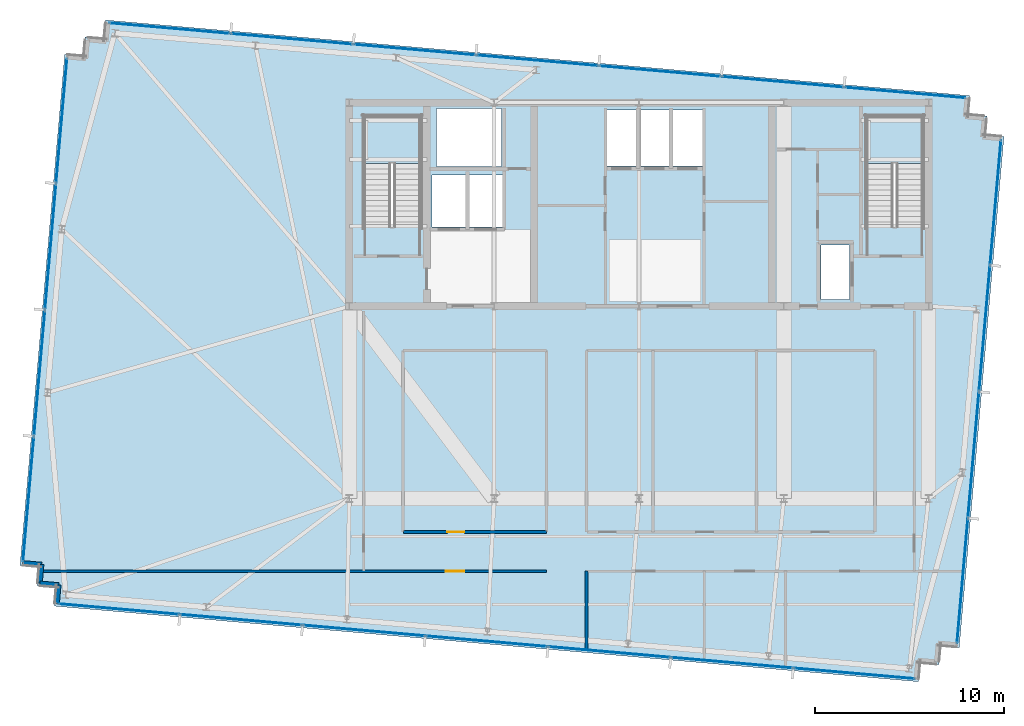
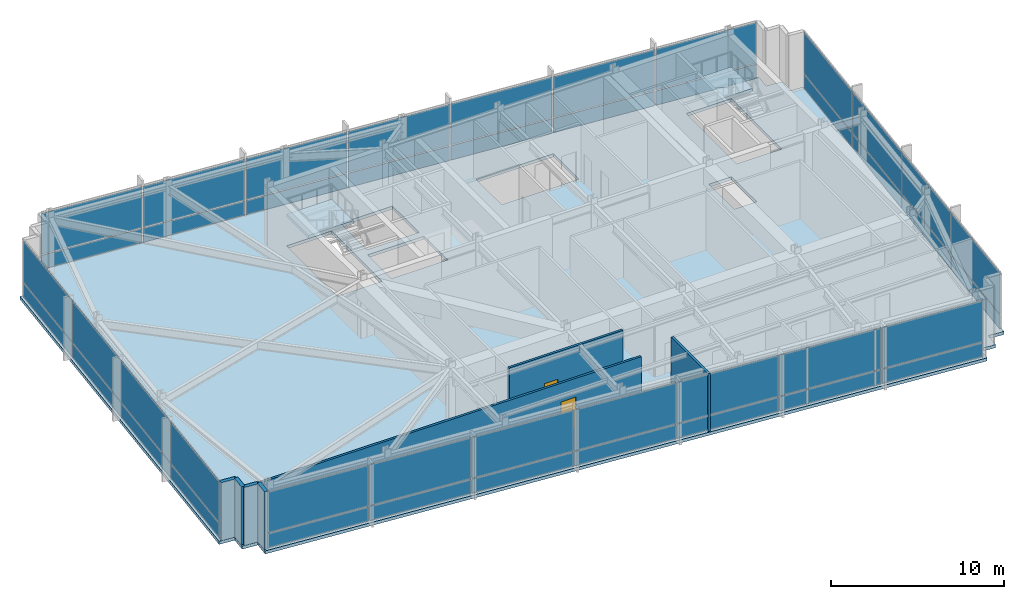
# One storey, part 18 of 25: 44 plates, 7 walls, 3 slabs, 2 doors, 2 openings, 6 elements without a shape of their own.
"""IFC4 building model written with IfcOpenShell, lengths in metres."""

from ifc_helpers import new_model, si_unit, direction, frame, frame_2d, origin, origin_2d, place, context, subcontext, project, spatial, polyline, rectangle, outline, extrude, material, layer, layer_set, type_object, element, fill, aggregate, save


model = new_model("IFC4")

# Units and contexts
model_context = context("Model", 3, precision=1e-05, world=origin(), true_north=direction((0.0, 1.0)))
body_context = subcontext(model_context, "Body", "Model", "MODEL_VIEW")
ifc_project = project(units=[si_unit("LENGTHUNIT", "METRE"), si_unit("AREAUNIT", "SQUARE_METRE"), si_unit("VOLUMEUNIT", "CUBIC_METRE"), si_unit("PLANEANGLEUNIT", "RADIAN"), si_unit("MASSUNIT", "GRAM", prefix="KILO")], contexts=[model_context])

# Site, building, storey
site_placement = place(None, origin())
site = spatial("IfcSite", under=ifc_project, at=site_placement, CompositionType="ELEMENT")
building_placement = place(site_placement, origin())
building = spatial("IfcBuilding", under=site, at=building_placement, Name="Yelkora Congress Tower", CompositionType="ELEMENT")
storey_placement = place(building_placement, frame((0.0, 0.0, 299.89990234375)))
storey = spatial("IfcBuildingStorey", under=building, at=storey_placement, Name="L84", CompositionType="ELEMENT", Elevation=299.89990234375)

# Curtain wall, plates
ifc_material_1 = material(Name="Anodised aluminium and insulated glass", Category="aluminium")
curtain_wall_type = type_object("IfcCurtainWallType", Name="CW-SYS-SKY", PredefinedType="NOTDEFINED", material=ifc_material_1)
curtain_wall_1_placement = place(storey_placement, origin())
curtain_wall_1 = element("IfcCurtainWall", 1, at=curtain_wall_1_placement, inside=storey, type_object=curtain_wall_type, Name="L84 Unitised Curtain Wall 5", PredefinedType="NOTDEFINED")
ifc_material_2 = material(Name="Structural laminated sky-lobby glass", Category="glass")
ifc_layer_1 = layer(ifc_material_2, 0.048095703125)
ifc_layer_set_1 = layer_set([ifc_layer_1], Name="Structural laminated sky-lobby glass")
plate_type = type_object("IfcPlateType", Name="PLT-PN-SKY", PredefinedType="CURTAIN_PANEL", material=ifc_layer_set_1)
plate_1_placement = place(storey_placement, frame((6.02197265625, 25.1630859375, 0.070068359375), z_axis=(0.0, 0.0, 1.0), x_axis=(0.08715473876, 0.996194785929, 0.0)))
plate_1 = element("IfcPlate", 2, at=plate_1_placement, type_object=plate_type, Name="CW-SKY panel 1.1", PredefinedType="CURTAIN_PANEL", context=body_context, shape_type="SweptSolid", body=[
    extrude(rectangle(XDim=6.617431640625, YDim=0.048095703125, at=origin_2d()), origin(), (0.0, 0.0, 1.0), 0.9951171875),
])
plate_2_placement = place(storey_placement, frame((6.02197265625, 25.1630859375, 1.135009765625), z_axis=(0.0, 0.0, 1.0), x_axis=(0.08715473876, 0.996194785929, 0.0)))
plate_2 = element("IfcPlate", 3, at=plate_2_placement, type_object=plate_type, Name="CW-SKY panel 1.2", PredefinedType="CURTAIN_PANEL", context=body_context, shape_type="SweptSolid", body=[
    extrude(rectangle(XDim=6.617431640625, YDim=0.048095703125, at=origin_2d()), origin(), (0.0, 0.0, 1.0), 2.875),
])
plate_3_placement = place(storey_placement, frame((6.60693359375, 31.848876953125, 0.070068359375), z_axis=(0.0, 0.0, 1.0), x_axis=(0.08715473876, 0.996194785929, 0.0)))
plate_3 = element("IfcPlate", 4, at=plate_3_placement, type_object=plate_type, Name="CW-SKY panel 2.1", PredefinedType="CURTAIN_PANEL", context=body_context, shape_type="SweptSolid", body=[
    extrude(rectangle(XDim=6.655029296875, YDim=0.048095703125, at=origin_2d()), origin(), (0.0, 0.0, 1.0), 0.9951171875),
])
plate_4_placement = place(storey_placement, frame((6.60693359375, 31.848876953125, 1.135009765625), z_axis=(0.0, 0.0, 1.0), x_axis=(0.08715473876, 0.996194785929, 0.0)))
plate_4 = element("IfcPlate", 5, at=plate_4_placement, type_object=plate_type, Name="CW-SKY panel 2.2", PredefinedType="CURTAIN_PANEL", context=body_context, shape_type="SweptSolid", body=[
    extrude(rectangle(XDim=6.655029296875, YDim=0.048095703125, at=origin_2d()), origin(), (0.0, 0.0, 1.0), 2.875),
])
plate_5_placement = place(storey_placement, frame((7.193359375, 38.55322265625, 0.070068359375), z_axis=(0.0, 0.0, 1.0), x_axis=(0.08715473876, 0.996194785929, 0.0)))
plate_5 = element("IfcPlate", 6, at=plate_5_placement, type_object=plate_type, Name="CW-SKY panel 3.1", PredefinedType="CURTAIN_PANEL", context=body_context, shape_type="SweptSolid", body=[
    extrude(rectangle(XDim=6.655029296875, YDim=0.048095703125, at=origin_2d()), origin(), (0.0, 0.0, 1.0), 0.9951171875),
])
plate_6_placement = place(storey_placement, frame((7.193359375, 38.55322265625, 1.135009765625), z_axis=(0.0, 0.0, 1.0), x_axis=(0.08715473876, 0.996194785929, 0.0)))
plate_6 = element("IfcPlate", 7, at=plate_6_placement, type_object=plate_type, Name="CW-SKY panel 3.2", PredefinedType="CURTAIN_PANEL", context=body_context, shape_type="SweptSolid", body=[
    extrude(rectangle(XDim=6.655029296875, YDim=0.048095703125, at=origin_2d()), origin(), (0.0, 0.0, 1.0), 2.875),
])
plate_7_placement = place(storey_placement, frame((7.7783203125, 45.23876953125, 0.070068359375), z_axis=(0.0, 0.0, 1.0), x_axis=(0.08715473876, 0.996194785929, 0.0)))
plate_7 = element("IfcPlate", 8, at=plate_7_placement, type_object=plate_type, Name="CW-SKY panel 4.1", PredefinedType="CURTAIN_PANEL", context=body_context, shape_type="SweptSolid", body=[
    extrude(rectangle(XDim=6.617431640625, YDim=0.048095703125, at=origin_2d()), origin(), (0.0, 0.0, 1.0), 0.9951171875),
])
plate_8_placement = place(storey_placement, frame((7.7783203125, 45.23876953125, 1.135009765625), z_axis=(0.0, 0.0, 1.0), x_axis=(0.08715473876, 0.996194785929, 0.0)))
plate_8 = element("IfcPlate", 9, at=plate_8_placement, type_object=plate_type, Name="CW-SKY panel 4.2", PredefinedType="CURTAIN_PANEL", context=body_context, shape_type="SweptSolid", body=[
    extrude(rectangle(XDim=6.617431640625, YDim=0.048095703125, at=origin_2d()), origin(), (0.0, 0.0, 1.0), 2.875),
])
aggregate(curtain_wall_1, [plate_1, plate_2, plate_3, plate_4, plate_5, plate_6, plate_7, plate_8])

curtain_wall_2_placement = place(storey_placement, origin())
curtain_wall_2 = element("IfcCurtainWall", 10, at=curtain_wall_2_placement, inside=storey, type_object=curtain_wall_type, Name="L84 Unitised Curtain Wall 10", PredefinedType="NOTDEFINED")
plate_9_placement = place(storey_placement, frame((13.511962890625, 50.1416015625, 0.070068359375), z_axis=(0.0, 0.0, 1.0), x_axis=(0.996194619601, -0.087156639893, 0.0)))
plate_9 = element("IfcPlate", 11, at=plate_9_placement, type_object=plate_type, Name="CW-SKY panel 1.1", PredefinedType="CURTAIN_PANEL", context=body_context, shape_type="SweptSolid", body=[
    extrude(rectangle(XDim=6.4189453125, YDim=0.048095703125, at=origin_2d()), origin(), (0.0, 0.0, 1.0), 0.9951171875),
])
plate_10_placement = place(storey_placement, frame((13.511962890625, 50.1416015625, 1.135009765625), z_axis=(0.0, 0.0, 1.0), x_axis=(0.996194619601, -0.087156639893, 0.0)))
plate_10 = element("IfcPlate", 12, at=plate_10_placement, type_object=plate_type, Name="CW-SKY panel 1.2", PredefinedType="CURTAIN_PANEL", context=body_context, shape_type="SweptSolid", body=[
    extrude(rectangle(XDim=6.4189453125, YDim=0.048095703125, at=origin_2d()), origin(), (0.0, 0.0, 1.0), 2.875),
])
plate_11_placement = place(storey_placement, frame((19.999755859375, 49.573974609375, 0.070068359375), z_axis=(0.0, 0.0, 1.0), x_axis=(0.996194619601, -0.087156639893, 0.0)))
plate_11 = element("IfcPlate", 13, at=plate_11_placement, type_object=plate_type, Name="CW-SKY panel 2.1", PredefinedType="CURTAIN_PANEL", context=body_context, shape_type="SweptSolid", body=[
    extrude(rectangle(XDim=6.45654296875, YDim=0.048095703125, at=origin_2d()), origin(), (0.0, 0.0, 1.0), 0.9951171875),
])
plate_12_placement = place(storey_placement, frame((19.999755859375, 49.573974609375, 1.135009765625), z_axis=(0.0, 0.0, 1.0), x_axis=(0.996194619601, -0.087156639893, 0.0)))
plate_12 = element("IfcPlate", 14, at=plate_12_placement, type_object=plate_type, Name="CW-SKY panel 2.2", PredefinedType="CURTAIN_PANEL", context=body_context, shape_type="SweptSolid", body=[
    extrude(rectangle(XDim=6.45654296875, YDim=0.048095703125, at=origin_2d()), origin(), (0.0, 0.0, 1.0), 2.875),
])
plate_13_placement = place(storey_placement, frame((26.50634765625, 49.004638671875, 0.070068359375), z_axis=(0.0, 0.0, 1.0), x_axis=(0.996194619601, -0.087156639893, 0.0)))
plate_13 = element("IfcPlate", 15, at=plate_13_placement, type_object=plate_type, Name="CW-SKY panel 3.1", PredefinedType="CURTAIN_PANEL", context=body_context, shape_type="SweptSolid", body=[
    extrude(rectangle(XDim=6.45654296875, YDim=0.048095703125, at=origin_2d()), origin(), (0.0, 0.0, 1.0), 0.9951171875),
])
plate_14_placement = place(storey_placement, frame((26.50634765625, 49.004638671875, 1.135009765625), z_axis=(0.0, 0.0, 1.0), x_axis=(0.996194619601, -0.087156639893, 0.0)))
plate_14 = element("IfcPlate", 16, at=plate_14_placement, type_object=plate_type, Name="CW-SKY panel 3.2", PredefinedType="CURTAIN_PANEL", context=body_context, shape_type="SweptSolid", body=[
    extrude(rectangle(XDim=6.45654296875, YDim=0.048095703125, at=origin_2d()), origin(), (0.0, 0.0, 1.0), 2.875),
])
plate_15_placement = place(storey_placement, frame((33.012939453125, 48.435302734375, 0.070068359375), z_axis=(0.0, 0.0, 1.0), x_axis=(0.996194619601, -0.087156639893, 0.0)))
plate_15 = element("IfcPlate", 17, at=plate_15_placement, type_object=plate_type, Name="CW-SKY panel 4.1", PredefinedType="CURTAIN_PANEL", context=body_context, shape_type="SweptSolid", body=[
    extrude(rectangle(XDim=6.45654296875, YDim=0.048095703125, at=origin_2d()), origin(), (0.0, 0.0, 1.0), 0.9951171875),
])
plate_16_placement = place(storey_placement, frame((33.012939453125, 48.435302734375, 1.135009765625), z_axis=(0.0, 0.0, 1.0), x_axis=(0.996194619601, -0.087156639893, 0.0)))
plate_16 = element("IfcPlate", 18, at=plate_16_placement, type_object=plate_type, Name="CW-SKY panel 4.2", PredefinedType="CURTAIN_PANEL", context=body_context, shape_type="SweptSolid", body=[
    extrude(rectangle(XDim=6.45654296875, YDim=0.048095703125, at=origin_2d()), origin(), (0.0, 0.0, 1.0), 2.875),
])
plate_17_placement = place(storey_placement, frame((39.51953125, 47.8662109375, 0.070068359375), z_axis=(0.0, 0.0, 1.0), x_axis=(0.996194619601, -0.087156639893, 0.0)))
plate_17 = element("IfcPlate", 19, at=plate_17_placement, type_object=plate_type, Name="CW-SKY panel 5.1", PredefinedType="CURTAIN_PANEL", context=body_context, shape_type="SweptSolid", body=[
    extrude(rectangle(XDim=6.45654296875, YDim=0.048095703125, at=origin_2d()), origin(), (0.0, 0.0, 1.0), 0.9951171875),
])
plate_18_placement = place(storey_placement, frame((39.51953125, 47.8662109375, 1.135009765625), z_axis=(0.0, 0.0, 1.0), x_axis=(0.996194619601, -0.087156639893, 0.0)))
plate_18 = element("IfcPlate", 20, at=plate_18_placement, type_object=plate_type, Name="CW-SKY panel 5.2", PredefinedType="CURTAIN_PANEL", context=body_context, shape_type="SweptSolid", body=[
    extrude(rectangle(XDim=6.45654296875, YDim=0.048095703125, at=origin_2d()), origin(), (0.0, 0.0, 1.0), 2.875),
])
plate_19_placement = place(storey_placement, frame((46.026123046875, 47.296875, 0.070068359375), z_axis=(0.0, 0.0, 1.0), x_axis=(0.996194619601, -0.087156639893, 0.0)))
plate_19 = element("IfcPlate", 21, at=plate_19_placement, type_object=plate_type, Name="CW-SKY panel 6.1", PredefinedType="CURTAIN_PANEL", context=body_context, shape_type="SweptSolid", body=[
    extrude(rectangle(XDim=6.45654296875, YDim=0.048095703125, at=origin_2d()), origin(), (0.0, 0.0, 1.0), 0.9951171875),
])
plate_20_placement = place(storey_placement, frame((46.026123046875, 47.296875, 1.135009765625), z_axis=(0.0, 0.0, 1.0), x_axis=(0.996194619601, -0.087156639893, 0.0)))
plate_20 = element("IfcPlate", 22, at=plate_20_placement, type_object=plate_type, Name="CW-SKY panel 6.2", PredefinedType="CURTAIN_PANEL", context=body_context, shape_type="SweptSolid", body=[
    extrude(rectangle(XDim=6.45654296875, YDim=0.048095703125, at=origin_2d()), origin(), (0.0, 0.0, 1.0), 2.875),
])
plate_21_placement = place(storey_placement, frame((52.513916015625, 46.729248046875, 0.070068359375), z_axis=(0.0, 0.0, 1.0), x_axis=(0.996194619601, -0.087156639893, 0.0)))
plate_21 = element("IfcPlate", 23, at=plate_21_placement, type_object=plate_type, Name="CW-SKY panel 7.1", PredefinedType="CURTAIN_PANEL", context=body_context, shape_type="SweptSolid", body=[
    extrude(rectangle(XDim=6.4189453125, YDim=0.048095703125, at=origin_2d()), origin(), (0.0, 0.0, 1.0), 0.9951171875),
])
plate_22_placement = place(storey_placement, frame((52.513916015625, 46.729248046875, 1.135009765625), z_axis=(0.0, 0.0, 1.0), x_axis=(0.996194619601, -0.087156639893, 0.0)))
plate_22 = element("IfcPlate", 24, at=plate_22_placement, type_object=plate_type, Name="CW-SKY panel 7.2", PredefinedType="CURTAIN_PANEL", context=body_context, shape_type="SweptSolid", body=[
    extrude(rectangle(XDim=6.4189453125, YDim=0.048095703125, at=origin_2d()), origin(), (0.0, 0.0, 1.0), 2.875),
])
aggregate(curtain_wall_2, [plate_9, plate_10, plate_11, plate_12, plate_13, plate_14, plate_15, plate_16, plate_17, plate_18, plate_19, plate_20, plate_21, plate_22])

curtain_wall_3_placement = place(storey_placement, origin())
curtain_wall_3 = element("IfcCurtainWall", 25, at=curtain_wall_3_placement, inside=storey, type_object=curtain_wall_type, Name="L84 Unitised Curtain Wall 15", PredefinedType="NOTDEFINED")
plate_23_placement = place(storey_placement, frame((57.30908203125, 40.905517578125, 0.070068359375), z_axis=(0.0, 0.0, 1.0), x_axis=(-0.087158425264, -0.996194463398, 0.0)))
plate_23 = element("IfcPlate", 26, at=plate_23_placement, type_object=plate_type, Name="CW-SKY panel 1.1", PredefinedType="CURTAIN_PANEL", context=body_context, shape_type="SweptSolid", body=[
    extrude(rectangle(XDim=6.617431640625, YDim=0.048095703125, at=origin_2d()), origin(), (0.0, 0.0, 1.0), 0.9951171875),
])
plate_24_placement = place(storey_placement, frame((57.30908203125, 40.905517578125, 1.135009765625), z_axis=(0.0, 0.0, 1.0), x_axis=(-0.087158425264, -0.996194463398, 0.0)))
plate_24 = element("IfcPlate", 27, at=plate_24_placement, type_object=plate_type, Name="CW-SKY panel 1.2", PredefinedType="CURTAIN_PANEL", context=body_context, shape_type="SweptSolid", body=[
    extrude(rectangle(XDim=6.617431640625, YDim=0.048095703125, at=origin_2d()), origin(), (0.0, 0.0, 1.0), 2.875),
])
plate_25_placement = place(storey_placement, frame((56.72412109375, 34.2197265625, 0.070068359375), z_axis=(0.0, 0.0, 1.0), x_axis=(-0.087158425264, -0.996194463398, 0.0)))
plate_25 = element("IfcPlate", 28, at=plate_25_placement, type_object=plate_type, Name="CW-SKY panel 2.1", PredefinedType="CURTAIN_PANEL", context=body_context, shape_type="SweptSolid", body=[
    extrude(rectangle(XDim=6.655029296875, YDim=0.048095703125, at=origin_2d()), origin(), (0.0, 0.0, 1.0), 0.9951171875),
])
plate_26_placement = place(storey_placement, frame((56.72412109375, 34.2197265625, 1.135009765625), z_axis=(0.0, 0.0, 1.0), x_axis=(-0.087158425264, -0.996194463398, 0.0)))
plate_26 = element("IfcPlate", 29, at=plate_26_placement, type_object=plate_type, Name="CW-SKY panel 2.2", PredefinedType="CURTAIN_PANEL", context=body_context, shape_type="SweptSolid", body=[
    extrude(rectangle(XDim=6.655029296875, YDim=0.048095703125, at=origin_2d()), origin(), (0.0, 0.0, 1.0), 2.875),
])
plate_27_placement = place(storey_placement, frame((56.1376953125, 27.515380859375, 0.070068359375), z_axis=(0.0, 0.0, 1.0), x_axis=(-0.087158425264, -0.996194463398, 0.0)))
plate_27 = element("IfcPlate", 30, at=plate_27_placement, type_object=plate_type, Name="CW-SKY panel 3.1", PredefinedType="CURTAIN_PANEL", context=body_context, shape_type="SweptSolid", body=[
    extrude(rectangle(XDim=6.655029296875, YDim=0.048095703125, at=origin_2d()), origin(), (0.0, 0.0, 1.0), 0.9951171875),
])
plate_28_placement = place(storey_placement, frame((56.1376953125, 27.515380859375, 1.135009765625), z_axis=(0.0, 0.0, 1.0), x_axis=(-0.087158425264, -0.996194463398, 0.0)))
plate_28 = element("IfcPlate", 31, at=plate_28_placement, type_object=plate_type, Name="CW-SKY panel 3.2", PredefinedType="CURTAIN_PANEL", context=body_context, shape_type="SweptSolid", body=[
    extrude(rectangle(XDim=6.655029296875, YDim=0.048095703125, at=origin_2d()), origin(), (0.0, 0.0, 1.0), 2.875),
])
plate_29_placement = place(storey_placement, frame((55.552734375, 20.82958984375, 0.070068359375), z_axis=(0.0, 0.0, 1.0), x_axis=(-0.087158425264, -0.996194463398, 0.0)))
plate_29 = element("IfcPlate", 32, at=plate_29_placement, type_object=plate_type, Name="CW-SKY panel 4.1", PredefinedType="CURTAIN_PANEL", context=body_context, shape_type="SweptSolid", body=[
    extrude(rectangle(XDim=6.617431640625, YDim=0.048095703125, at=origin_2d()), origin(), (0.0, 0.0, 1.0), 0.9951171875),
])
plate_30_placement = place(storey_placement, frame((55.552734375, 20.82958984375, 1.135009765625), z_axis=(0.0, 0.0, 1.0), x_axis=(-0.087158425264, -0.996194463398, 0.0)))
plate_30 = element("IfcPlate", 33, at=plate_30_placement, type_object=plate_type, Name="CW-SKY panel 4.2", PredefinedType="CURTAIN_PANEL", context=body_context, shape_type="SweptSolid", body=[
    extrude(rectangle(XDim=6.617431640625, YDim=0.048095703125, at=origin_2d()), origin(), (0.0, 0.0, 1.0), 2.875),
])
aggregate(curtain_wall_3, [plate_23, plate_24, plate_25, plate_26, plate_27, plate_28, plate_29, plate_30])

curtain_wall_4_placement = place(storey_placement, origin())
curtain_wall_4 = element("IfcCurtainWall", 34, at=curtain_wall_4_placement, inside=storey, type_object=curtain_wall_type, Name="L84 Unitised Curtain Wall 20", PredefinedType="NOTDEFINED")
plate_31_placement = place(storey_placement, frame((49.819091796875, 15.927001953125, 0.070068359375), z_axis=(0.0, 0.0, 1.0), x_axis=(-0.996194602987, 0.087156829793, 0.0)))
plate_31 = element("IfcPlate", 35, at=plate_31_placement, type_object=plate_type, Name="CW-SKY panel 1.1", PredefinedType="CURTAIN_PANEL", context=body_context, shape_type="SweptSolid", body=[
    extrude(rectangle(XDim=6.4189453125, YDim=0.048095703125, at=origin_2d()), origin(), (0.0, 0.0, 1.0), 0.9951171875),
])
plate_32_placement = place(storey_placement, frame((49.819091796875, 15.927001953125, 1.135009765625), z_axis=(0.0, 0.0, 1.0), x_axis=(-0.996194602987, 0.087156829793, 0.0)))
plate_32 = element("IfcPlate", 36, at=plate_32_placement, type_object=plate_type, Name="CW-SKY panel 1.2", PredefinedType="CURTAIN_PANEL", context=body_context, shape_type="SweptSolid", body=[
    extrude(rectangle(XDim=6.4189453125, YDim=0.048095703125, at=origin_2d()), origin(), (0.0, 0.0, 1.0), 2.875),
])
plate_33_placement = place(storey_placement, frame((43.331298828125, 16.49462890625, 0.070068359375), z_axis=(0.0, 0.0, 1.0), x_axis=(-0.996194602987, 0.087156829793, 0.0)))
plate_33 = element("IfcPlate", 37, at=plate_33_placement, type_object=plate_type, Name="CW-SKY panel 2.1", PredefinedType="CURTAIN_PANEL", context=body_context, shape_type="SweptSolid", body=[
    extrude(rectangle(XDim=6.456298828125, YDim=0.048095703125, at=origin_2d()), origin(), (0.0, 0.0, 1.0), 0.9951171875),
])
plate_34_placement = place(storey_placement, frame((43.331298828125, 16.49462890625, 1.135009765625), z_axis=(0.0, 0.0, 1.0), x_axis=(-0.996194602987, 0.087156829793, 0.0)))
plate_34 = element("IfcPlate", 38, at=plate_34_placement, type_object=plate_type, Name="CW-SKY panel 2.2", PredefinedType="CURTAIN_PANEL", context=body_context, shape_type="SweptSolid", body=[
    extrude(rectangle(XDim=6.456298828125, YDim=0.048095703125, at=origin_2d()), origin(), (0.0, 0.0, 1.0), 2.875),
])
plate_35_placement = place(storey_placement, frame((36.82470703125, 17.06396484375, 0.070068359375), z_axis=(0.0, 0.0, 1.0), x_axis=(-0.996194602987, 0.087156829793, 0.0)))
plate_35 = element("IfcPlate", 39, at=plate_35_placement, type_object=plate_type, Name="CW-SKY panel 3.1", PredefinedType="CURTAIN_PANEL", context=body_context, shape_type="SweptSolid", body=[
    extrude(rectangle(XDim=6.456298828125, YDim=0.048095703125, at=origin_2d()), origin(), (0.0, 0.0, 1.0), 0.9951171875),
])
plate_36_placement = place(storey_placement, frame((36.82470703125, 17.06396484375, 1.135009765625), z_axis=(0.0, 0.0, 1.0), x_axis=(-0.996194602987, 0.087156829793, 0.0)))
plate_36 = element("IfcPlate", 40, at=plate_36_placement, type_object=plate_type, Name="CW-SKY panel 3.2", PredefinedType="CURTAIN_PANEL", context=body_context, shape_type="SweptSolid", body=[
    extrude(rectangle(XDim=6.456298828125, YDim=0.048095703125, at=origin_2d()), origin(), (0.0, 0.0, 1.0), 2.875),
])
plate_37_placement = place(storey_placement, frame((30.318115234375, 17.633056640625, 0.070068359375), z_axis=(0.0, 0.0, 1.0), x_axis=(-0.996194602987, 0.087156829793, 0.0)))
plate_37 = element("IfcPlate", 41, at=plate_37_placement, type_object=plate_type, Name="CW-SKY panel 4.1", PredefinedType="CURTAIN_PANEL", context=body_context, shape_type="SweptSolid", body=[
    extrude(rectangle(XDim=6.456298828125, YDim=0.048095703125, at=origin_2d()), origin(), (0.0, 0.0, 1.0), 0.9951171875),
])
plate_38_placement = place(storey_placement, frame((30.318115234375, 17.633056640625, 1.135009765625), z_axis=(0.0, 0.0, 1.0), x_axis=(-0.996194602987, 0.087156829793, 0.0)))
plate_38 = element("IfcPlate", 42, at=plate_38_placement, type_object=plate_type, Name="CW-SKY panel 4.2", PredefinedType="CURTAIN_PANEL", context=body_context, shape_type="SweptSolid", body=[
    extrude(rectangle(XDim=6.456298828125, YDim=0.048095703125, at=origin_2d()), origin(), (0.0, 0.0, 1.0), 2.875),
])
plate_39_placement = place(storey_placement, frame((23.8115234375, 18.202392578125, 0.070068359375), z_axis=(0.0, 0.0, 1.0), x_axis=(-0.996194602987, 0.087156829793, 0.0)))
plate_39 = element("IfcPlate", 43, at=plate_39_placement, type_object=plate_type, Name="CW-SKY panel 5.1", PredefinedType="CURTAIN_PANEL", context=body_context, shape_type="SweptSolid", body=[
    extrude(rectangle(XDim=6.456298828125, YDim=0.048095703125, at=origin_2d()), origin(), (0.0, 0.0, 1.0), 0.9951171875),
])
plate_40_placement = place(storey_placement, frame((23.8115234375, 18.202392578125, 1.135009765625), z_axis=(0.0, 0.0, 1.0), x_axis=(-0.996194602987, 0.087156829793, 0.0)))
plate_40 = element("IfcPlate", 44, at=plate_40_placement, type_object=plate_type, Name="CW-SKY panel 5.2", PredefinedType="CURTAIN_PANEL", context=body_context, shape_type="SweptSolid", body=[
    extrude(rectangle(XDim=6.456298828125, YDim=0.048095703125, at=origin_2d()), origin(), (0.0, 0.0, 1.0), 2.875),
])
plate_41_placement = place(storey_placement, frame((17.304931640625, 18.771728515625, 0.070068359375), z_axis=(0.0, 0.0, 1.0), x_axis=(-0.996194602987, 0.087156829793, 0.0)))
plate_41 = element("IfcPlate", 45, at=plate_41_placement, type_object=plate_type, Name="CW-SKY panel 6.1", PredefinedType="CURTAIN_PANEL", context=body_context, shape_type="SweptSolid", body=[
    extrude(rectangle(XDim=6.456298828125, YDim=0.048095703125, at=origin_2d()), origin(), (0.0, 0.0, 1.0), 0.9951171875),
])
plate_42_placement = place(storey_placement, frame((17.304931640625, 18.771728515625, 1.135009765625), z_axis=(0.0, 0.0, 1.0), x_axis=(-0.996194602987, 0.087156829793, 0.0)))
plate_42 = element("IfcPlate", 46, at=plate_42_placement, type_object=plate_type, Name="CW-SKY panel 6.2", PredefinedType="CURTAIN_PANEL", context=body_context, shape_type="SweptSolid", body=[
    extrude(rectangle(XDim=6.456298828125, YDim=0.048095703125, at=origin_2d()), origin(), (0.0, 0.0, 1.0), 2.875),
])
plate_43_placement = place(storey_placement, frame((10.817138671875, 19.33935546875, 0.070068359375), z_axis=(0.0, 0.0, 1.0), x_axis=(-0.996194602987, 0.087156829793, 0.0)))
plate_43 = element("IfcPlate", 47, at=plate_43_placement, type_object=plate_type, Name="CW-SKY panel 7.1", PredefinedType="CURTAIN_PANEL", context=body_context, shape_type="SweptSolid", body=[
    extrude(rectangle(XDim=6.4189453125, YDim=0.048095703125, at=origin_2d()), origin(), (0.0, 0.0, 1.0), 0.9951171875),
])
plate_44_placement = place(storey_placement, frame((10.817138671875, 19.33935546875, 1.135009765625), z_axis=(0.0, 0.0, 1.0), x_axis=(-0.996194602987, 0.087156829793, 0.0)))
plate_44 = element("IfcPlate", 48, at=plate_44_placement, type_object=plate_type, Name="CW-SKY panel 7.2", PredefinedType="CURTAIN_PANEL", context=body_context, shape_type="SweptSolid", body=[
    extrude(rectangle(XDim=6.4189453125, YDim=0.048095703125, at=origin_2d()), origin(), (0.0, 0.0, 1.0), 2.875),
])
aggregate(curtain_wall_4, [plate_31, plate_32, plate_33, plate_34, plate_35, plate_36, plate_37, plate_38, plate_39, plate_40, plate_41, plate_42, plate_43, plate_44])

# Stair, slab
ifc_material_3 = material(Name="Concrete C40/50", Category="concrete")
stair_type = type_object("IfcStairType", Name="STAIR-HT-1420-R26-173", PredefinedType="HALF_TURN_STAIR", material=ifc_material_3)
stair_1_placement = place(storey_placement, origin())
stair_1 = element("IfcStair", 49, at=stair_1_placement, inside=storey, type_object=stair_type, Name="West Core Protected Exit Stair ST-01 (L84)", PredefinedType="HALF_TURN_STAIR")
ifc_layer_2 = layer(ifc_material_3, 0.219970703125)
ifc_layer_set_2 = layer_set([ifc_layer_2], Name="Concrete C40/50")
slab_type_1 = type_object("IfcSlabType", Name="SLAB-LANDING-220", PredefinedType="LANDING", material=ifc_layer_set_2)
slab_1_placement = place(storey_placement, frame((0.0, 0.0, 2.030029296875)))
slab_1 = element("IfcSlab", 50, at=slab_1_placement, type_object=slab_type_1, Name="ST-01 L84 Half Landing 1", PredefinedType="LANDING", context=body_context, shape_type="SweptSolid", body=[
    extrude(outline(polyline([(26.820068359375, 42.9599609375), (26.820068359375, 45.469970703125), (23.820068359375, 45.469970703125), (23.820068359375, 42.9599609375), (26.820068359375, 42.9599609375)])), origin(), (0.0, 0.0, 1.0), 0.219970703125),
])
aggregate(stair_1, [slab_1])

stair_2_placement = place(storey_placement, origin())
stair_2 = element("IfcStair", 51, at=stair_2_placement, inside=storey, type_object=stair_type, Name="East Core Protected Exit Stair ST-02 (L84)", PredefinedType="HALF_TURN_STAIR")
slab_2_placement = place(storey_placement, frame((0.0, 0.0, 2.030029296875)))
slab_2 = element("IfcSlab", 52, at=slab_2_placement, type_object=slab_type_1, Name="ST-02 L84 Half Landing 1", PredefinedType="LANDING", context=body_context, shape_type="SweptSolid", body=[
    extrude(outline(polyline([(53.4599609375, 42.9599609375), (53.4599609375, 45.469970703125), (50.4599609375, 45.469970703125), (50.4599609375, 42.9599609375), (53.4599609375, 42.9599609375)])), origin(), (0.0, 0.0, 1.0), 0.219970703125),
])
aggregate(stair_2, [slab_2])

# Slab
ifc_layer_3 = layer(ifc_material_3, 0.219970703125)
ifc_layer_set_3 = layer_set([ifc_layer_3], Name="Concrete C40/50")
slab_type_2 = type_object("IfcSlabType", Name="SLAB-TWR-220", PredefinedType="FLOOR", material=ifc_layer_set_3)
slab_3_placement = place(storey_placement, frame((0.0, 0.0, -0.219970703125)))
element("IfcSlab", 53, at=slab_3_placement, inside=storey, type_object=slab_type_2, Name="L84 Structural Floor Slab", PredefinedType="FLOOR", context=body_context, shape_type="SweptSolid", body=[
    extrude(outline(polyline([(7.3935546875, 19.498291015625), (53.218505859375, 15.489013671875), (53.3056640625, 16.485107421875), (54.3017578125, 16.398193359375), (54.388916015625, 17.394287109375), (55.385009765625, 17.30712890625), (57.755859375, 44.403564453125), (56.759521484375, 44.49072265625), (56.8466796875, 45.487060546875), (55.8505859375, 45.57421875), (55.937744140625, 46.5703125), (10.11279296875, 50.57958984375), (10.025634765625, 49.583251953125), (9.029296875, 49.67041015625), (8.942138671875, 48.67431640625), (7.946044921875, 48.761474609375), (5.575439453125, 21.664794921875), (6.571533203125, 21.57763671875), (6.484619140625, 20.58154296875), (7.480712890625, 20.494384765625), (7.3935546875, 19.498291015625)]), holes=[polyline([(23.820068359375, 39.6298828125), (26.820068359375, 39.6298828125), (26.820068359375, 45.469970703125), (23.820068359375, 45.469970703125), (23.820068359375, 39.6298828125)]), polyline([(50.4599609375, 39.6298828125), (53.4599609375, 39.6298828125), (53.4599609375, 45.469970703125), (50.4599609375, 45.469970703125), (50.4599609375, 39.6298828125)]), polyline([(48.050048828125, 35.75), (49.550048828125, 35.75), (49.550048828125, 38.64990234375), (48.050048828125, 38.64990234375), (48.050048828125, 35.75)]), polyline([(36.64990234375, 42.85009765625), (41.800048828125, 42.85009765625), (41.800048828125, 45.800048828125), (36.64990234375, 45.800048828125), (36.64990234375, 42.85009765625)]), polyline([(27.419921875, 39.60009765625), (31.179931640625, 39.60009765625), (31.179931640625, 42.35009765625), (27.419921875, 42.35009765625), (27.419921875, 39.60009765625)]), polyline([(27.64990234375, 42.820068359375), (31.1201171875, 42.820068359375), (31.1201171875, 45.8798828125), (27.64990234375, 45.8798828125), (27.64990234375, 42.820068359375)])]), origin(), (0.0, 0.0, 1.0), 0.219970703125),
])

# Walls
ifc_layer_4 = layer(ifc_material_3, 0.239990234375)
ifc_layer_set_4 = layer_set([ifc_layer_4], Name="Concrete C40/50")
wall_type_1 = type_object("IfcWallType", Name="WALL-EXT-LIMESTONE-240", PredefinedType="SOLIDWALL", material=ifc_layer_set_4)
for number, where, z_axis, x_axis, name in (
    (54, (7.545166015625, 19.62548828125, 0.0), (0.0, 0.0, 1.0), (0.087166950281, 0.996193717496, 0.0), "L84 Serrated Corner Limestone Pier 1"),
    (55, (7.63232421875, 20.62158203125, 0.0), (0.0, 0.0, 1.0), (-0.996193717496, 0.087166950281, 0.0), "L84 Serrated Corner Limestone Pier 2"),
):
    element("IfcWall", number, at=place(storey_placement, frame(where, z_axis=z_axis, x_axis=x_axis)), inside=storey, type_object=wall_type_1, Name=name, PredefinedType="SOLIDWALL", context=body_context, shape_type="SweptSolid", body=[
        extrude(rectangle(XDim=1.0, YDim=0.239990234375, at=frame_2d((0.5, 0.0))), origin(), (0.0, 0.0, 1.0), 4.080078125),
    ])
for number, where, z_axis, x_axis, name in (
    (56, (6.63623046875, 20.708740234375, 0.0), (0.0, 0.0, 1.0), (0.087145753297, 0.996195572005, 0.0), "L84 Serrated Corner Limestone Pier 3"),
    (57, (6.723388671875, 21.705078125, 0.0), (0.0, 0.0, 1.0), (-0.996195572005, 0.087145753297, 0.0), "L84 Serrated Corner Limestone Pier 4"),
):
    element("IfcWall", number, at=place(storey_placement, frame(where, z_axis=z_axis, x_axis=x_axis)), inside=storey, type_object=wall_type_1, Name=name, PredefinedType="SOLIDWALL", context=body_context, shape_type="SweptSolid", body=[
        extrude(rectangle(XDim=1.000244140625, YDim=0.239990234375, at=frame_2d((0.5, 0.0))), origin(), (0.0, 0.0, 1.0), 4.080078125),
    ])
ifc_material_4 = material(Name="Acoustic metal-stud gypsum partition", Category="gypsum")
ifc_layer_5 = layer(ifc_material_4, 0.14990234375)
ifc_layer_set_5 = layer_set([ifc_layer_5], Name="Acoustic metal-stud gypsum partition")
wall_type_2 = type_object("IfcWallType", Name="WALL-INT-150-NR", PredefinedType="PARTITIONING", material=ifc_layer_set_5)
wall_1_placement = place(storey_placement, frame((35.6201171875, 17.10888671875, 0.0), z_axis=(0.0, 0.0, 1.0), x_axis=(0.0, 1.0, 0.0)))
element("IfcWall", 58, at=wall_1_placement, inside=storey, type_object=wall_type_2, Name="L84 Partition Wall 23", PredefinedType="PARTITIONING", context=body_context, shape_type="SweptSolid", body=[
    extrude(rectangle(XDim=4.26123046875, YDim=0.14990234375, at=frame_2d((2.130615234375, 0.0))), origin(), (0.0, 0.0, 1.0), 4.080078125),
])

# Wall, opening, door
wall_2_placement = place(storey_placement, frame((6.739990234375, 21.35009765625, 0.0), z_axis=(0.0, 0.0, 1.0), x_axis=(1.0, 0.0, 0.0)))
wall_2 = element("IfcWall", 59, at=wall_2_placement, inside=storey, type_object=wall_type_2, Name="L84 South Spine Wall West", PredefinedType="PARTITIONING", context=body_context, shape_type="SweptSolid", body=[
    extrude(rectangle(XDim=26.760009765625, YDim=0.14990234375, at=frame_2d((13.3798828125, 0.0))), origin(), (0.0, 0.0, 1.0), 3.47509765625),
])
opening_1_placement = place(wall_2_placement, frame((21.405029296875, 0.0, 0.0)))
opening_1 = element("IfcOpeningElement", 60, at=opening_1_placement, cuts=wall_2, Name="Opening DR-100N", PredefinedType="OPENING", context=body_context, shape_type="SweptSolid", body=[
    extrude(rectangle(XDim=1.0, YDim=2.14990234375, at=frame_2d((0.5, 1.074951171875))), frame((0.0, 0.0849609375, 0.0), z_axis=(0.0, -1.0, 0.0), x_axis=(1.0, 0.0, 0.0)), (0.0, 0.0, 1.0), 0.169921875),
])
ifc_material_5 = material(Name="Solid-core Anatolian oak veneer door", Category="wood")
door_type_1 = type_object("IfcDoorType", Name="DOOR-INT-1000", OperationType="NOTDEFINED", PredefinedType="DOOR", material=ifc_material_5)
door_1_placement = place(opening_1_placement, origin())
door_1 = element("IfcDoor", 61, at=door_1_placement, inside=storey, type_object=door_type_1, Name="L84 Observation Sky Gallery Door", OperationType="SINGLE_SWING_RIGHT", OverallHeight=2.14990234375, OverallWidth=1.0, PredefinedType="DOOR", context=body_context, shape_type="SweptSolid", body=[
    extrude(rectangle(XDim=1.0, YDim=2.14990234375, at=frame_2d((0.5, 1.074951171875))), frame((0.0, 0.02490234375, 0.0), z_axis=(0.0, -1.0, 0.0), x_axis=(1.0, 0.0, 0.0)), (0.0, 0.0, 1.0), 0.050048828125),
])
fill(opening_1, door_1)

wall_3_placement = place(storey_placement, frame((25.89990234375, 23.429931640625, 0.0), z_axis=(0.0, 0.0, 1.0), x_axis=(1.0, 0.0, 0.0)))
wall_3 = element("IfcWall", 62, at=wall_3_placement, inside=storey, type_object=wall_type_2, Name="L84 Partition Wall 36", PredefinedType="PARTITIONING", context=body_context, shape_type="SweptSolid", body=[
    extrude(rectangle(XDim=7.590087890625, YDim=0.14990234375, at=frame_2d((3.794921875, 0.0))), origin(), (0.0, 0.0, 1.0), 4.080078125),
])
opening_2_placement = place(wall_3_placement, frame((2.33447265625, 0.0, 0.0)))
opening_2 = element("IfcOpeningElement", 63, at=opening_2_placement, cuts=wall_3, Name="Opening DR-090N", PredefinedType="OPENING", context=body_context, shape_type="SweptSolid", body=[
    extrude(rectangle(XDim=0.89990234375, YDim=2.14990234375, at=frame_2d((0.449951171875, 1.074951171875))), frame((0.0, 0.0849609375, 0.0), z_axis=(0.0, -1.0, 0.0), x_axis=(1.0, 0.0, 0.0)), (0.0, 0.0, 1.0), 0.169921875),
])
ifc_material_6 = material(Name="Moisture-resistant laminate door leaf", Category="wood")
door_type_2 = type_object("IfcDoorType", Name="DOOR-INT-900", OperationType="NOTDEFINED", PredefinedType="DOOR", material=ifc_material_6)
door_2_placement = place(opening_2_placement, origin())
door_2 = element("IfcDoor", 64, at=door_2_placement, inside=storey, type_object=door_type_2, Name="L84 Seminar Briefing Room Door", OperationType="SINGLE_SWING_RIGHT", OverallHeight=2.14990234375, OverallWidth=0.89990234375, PredefinedType="DOOR", context=body_context, shape_type="SweptSolid", body=[
    extrude(rectangle(XDim=0.89990234375, YDim=2.14990234375, at=frame_2d((0.449951171875, 1.074951171875))), frame((0.0, 0.02490234375, 0.0), z_axis=(0.0, -1.0, 0.0), x_axis=(1.0, 0.0, 0.0)), (0.0, 0.0, 1.0), 0.050048828125),
])
fill(opening_2, door_2)

save(model, "model.ifc")
